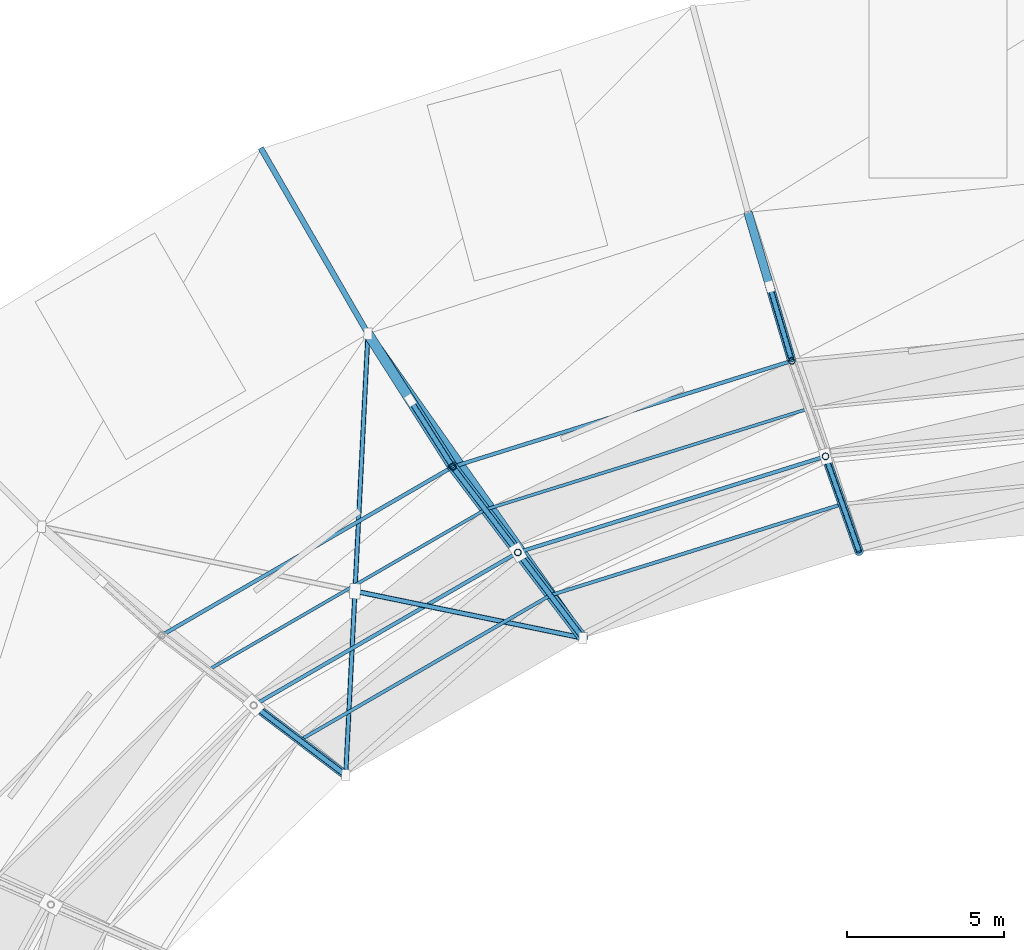
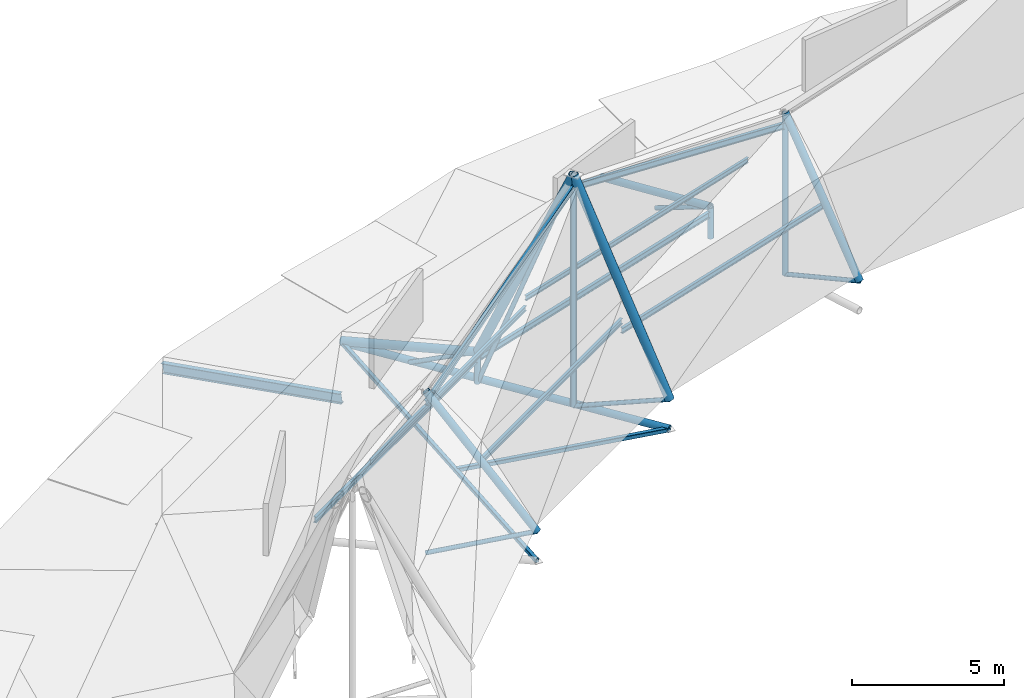
# One storey, part 12 of 36: 26 members, 2 beams.
"""IFC4 building model written with IfcOpenShell, lengths in metres."""

from ifc_helpers import new_model, si_unit, direction, frame, origin, origin_2d, place, context, subcontext, project, spatial, hollow_rectangle, hollow_circle, i_section, extrude, material, material_profile, profile_set, type_object, element, save


model = new_model("IFC4")

# Units and contexts
model_context = context("Model", 3, precision=1e-05, world=origin(), true_north=direction((0.0, 1.0)))
body_context = subcontext(model_context, "Body", "Model", "MODEL_VIEW")
ifc_project = project(units=[si_unit("LENGTHUNIT", "METRE"), si_unit("AREAUNIT", "SQUARE_METRE"), si_unit("VOLUMEUNIT", "CUBIC_METRE"), si_unit("PLANEANGLEUNIT", "RADIAN"), si_unit("MASSUNIT", "GRAM", prefix="KILO")], contexts=[model_context])

# Site, building, storey
site_placement = place(None, origin())
site = spatial("IfcSite", under=ifc_project, at=site_placement, CompositionType="ELEMENT")
building_placement = place(site_placement, origin())
building = spatial("IfcBuilding", under=site, at=building_placement, Name="Kildeholm Park Wholesale Market", CompositionType="ELEMENT")
storey_placement = place(building_placement, frame((0.0, 0.0, 17.39990234375)))
storey = spatial("IfcBuildingStorey", under=building, at=storey_placement, Name="Roof", CompositionType="ELEMENT", Elevation=17.39990234375)

# Beams
ifc_material = material(Name="Steel S355", Category="steel")
ifc_material_profile_1 = material_profile(ifc_material, i_section(OverallWidth=0.179931640625, OverallDepth=0.39990234375, WebThickness=0.008544921875, FlangeThickness=0.013427734375, FilletRadius=0.02099609375, at=origin_2d()), Name="IPE 400")
ifc_profile_set_1 = profile_set([ifc_material_profile_1], Name="Steel S355")
beam_type_1 = type_object("IfcBeamType", Name="Beam B-P01 IPE 400", PredefinedType="BEAM", material=ifc_profile_set_1)
beam_1_placement = place(storey_placement, frame((70.5, 128.904052734375, -8.0244140625), z_axis=(0.492978620712, -0.853915717996, 0.166733398216), x_axis=(0.866038511948, 0.499977295307, 0.0)))
element("IfcBeam", 1, at=beam_1_placement, inside=storey, type_object=beam_type_1, Name="Beam BM-V1-RF-S1-08 BM-0267", PredefinedType="BEAM", context=body_context, shape_type="SweptSolid", body=[
    extrude(i_section(OverallWidth=0.179931640625, OverallDepth=0.39990234375, WebThickness=0.008544921875, FlangeThickness=0.013427734375, FilletRadius=0.02099609375, at=origin_2d()), origin(), (0.0, 0.0, 1.0), 6.896728515625),
])
ifc_material_profile_2 = material_profile(ifc_material, hollow_circle(Radius=0.136474609375, WallThickness=0.01611328125, at=origin_2d()), Name="CHS 273x16")
ifc_profile_set_2 = profile_set([ifc_material_profile_2], Name="Steel S355")
beam_type_2 = type_object("IfcBeamType", Name="Beam B-T01 CHS 273x16", PredefinedType="BEAM", material=ifc_profile_set_2)
beam_2_placement = place(storey_placement, frame((73.89990234375, 123.014892578125, -4.6298828125), z_axis=(0.576894674263, -0.816818544603, 0.0), x_axis=(0.816818544603, 0.576894674263, 0.0)))
element("IfcBeam", 2, at=beam_2_placement, inside=storey, type_object=beam_type_2, Name="Beam BM-V1-TIE-08 BM-0272", PredefinedType="BEAM", context=body_context, shape_type="SweptSolid", body=[
    extrude(hollow_circle(Radius=0.136474609375, WallThickness=0.01611328125, at=origin_2d()), origin(), (0.0, 0.0, 1.0), 11.8740234375),
])

# Members
ifc_material_profile_3 = material_profile(ifc_material, i_section(OverallWidth=0.10009765625, OverallDepth=0.199951171875, WebThickness=0.005615234375, FlangeThickness=0.008544921875, FilletRadius=0.011962890625, at=origin_2d()), Name="IPE 200")
ifc_profile_set_3 = profile_set([ifc_material_profile_3], Name="Steel S355")
member_type_1 = type_object("IfcMemberType", Name="Member PR-01 IPE 200", PredefinedType="PURLIN", material=ifc_profile_set_3)
member_1_placement = place(storey_placement, frame((87.94189453125, 120.626953125, -0.7646484375), z_axis=(-0.954510153273, -0.298178415213, 0.0), x_axis=(0.298178415213, -0.954510153273, 0.0)))
element("IfcMember", 3, at=member_1_placement, inside=storey, type_object=member_type_1, Name="Member PR-V1-MDO-07 MEM-0101", PredefinedType="PURLIN", context=body_context, shape_type="SweptSolid", body=[
    extrude(i_section(OverallWidth=0.10009765625, OverallDepth=0.199951171875, WebThickness=0.005615234375, FlangeThickness=0.008544921875, FilletRadius=0.011962890625, at=origin_2d()), origin(), (0.0, 0.0, 1.0), 10.79541015625),
])
member_2_placement = place(storey_placement, frame((77.637451171875, 117.407958984375, -1.15478515625), z_axis=(-0.865443179504, -0.501007088822, 0.0), x_axis=(0.501007088822, -0.865443179504, 0.0)))
element("IfcMember", 4, at=member_2_placement, inside=storey, type_object=member_type_1, Name="Member PR-V1-MDO-08 MEM-0113", PredefinedType="PURLIN", context=body_context, shape_type="SweptSolid", body=[
    extrude(i_section(OverallWidth=0.10009765625, OverallDepth=0.199951171875, WebThickness=0.005615234375, FlangeThickness=0.008544921875, FilletRadius=0.011962890625, at=origin_2d()), origin(), (0.0, 0.0, 1.0), 10.2236328125),
])
ifc_material_profile_4 = material_profile(ifc_material, i_section(OverallWidth=0.1201171875, OverallDepth=0.239990234375, WebThickness=0.006103515625, FlangeThickness=0.009765625, FilletRadius=0.014892578125, at=origin_2d()), Name="IPE 240")
ifc_profile_set_4 = profile_set([ifc_material_profile_4], Name="Steel S355")
member_type_2 = type_object("IfcMemberType", Name="Member PR-02 IPE 240", PredefinedType="PURLIN", material=ifc_profile_set_4)
member_3_placement = place(storey_placement, frame((87.405029296875, 122.14794921875, -3.65087890625), z_axis=(-0.95449417592, -0.298229556107, 0.0), x_axis=(0.298229556107, -0.95449417592, 0.0)))
element("IfcMember", 5, at=member_3_placement, inside=storey, type_object=member_type_2, Name="Member PR-V1-STP2-07 MEM-0099", PredefinedType="PURLIN", context=body_context, shape_type="SweptSolid", body=[
    extrude(i_section(OverallWidth=0.1201171875, OverallDepth=0.239990234375, WebThickness=0.006103515625, FlangeThickness=0.009765625, FilletRadius=0.014892578125, at=origin_2d()), origin(), (0.0, 0.0, 1.0), 11.320068359375),
])
member_4_placement = place(storey_placement, frame((88.47900390625, 119.10595703125, 1.35400390625), z_axis=(-0.920919634022, -0.287625421468, 0.2630183351), x_axis=(0.298122049898, -0.954527759347, 0.0)))
element("IfcMember", 6, at=member_4_placement, inside=storey, type_object=member_type_2, Name="Member PR-V1-CRWN-07 MEM-0100", PredefinedType="PURLIN", context=body_context, shape_type="SweptSolid", body=[
    extrude(i_section(OverallWidth=0.1201171875, OverallDepth=0.239990234375, WebThickness=0.006103515625, FlangeThickness=0.009765625, FilletRadius=0.014892578125, at=origin_2d()), origin(), (0.0, 0.0, 1.0), 10.645751953125),
])
member_5_placement = place(storey_placement, frame((76.60009765625, 118.77197265625, -3.631591796875), z_axis=(-0.865403937833, -0.501074869039, 0.0), x_axis=(0.501074869039, -0.865403937833, 0.0)))
element("IfcMember", 7, at=member_5_placement, inside=storey, type_object=member_type_2, Name="Member PR-V1-STP2-08 MEM-0111", PredefinedType="PURLIN", context=body_context, shape_type="SweptSolid", body=[
    extrude(i_section(OverallWidth=0.1201171875, OverallDepth=0.239990234375, WebThickness=0.006103515625, FlangeThickness=0.009765625, FilletRadius=0.014892578125, at=origin_2d()), origin(), (0.0, 0.0, 1.0), 10.72119140625),
])
member_6_placement = place(storey_placement, frame((78.675048828125, 116.0439453125, 4.179443359375), z_axis=(-0.831722673971, -0.481352260994, -0.276653925399), x_axis=(0.500902684414, -0.865503611054, 0.0)))
element("IfcMember", 8, at=member_6_placement, inside=storey, type_object=member_type_2, Name="Member PR-V1-CRWN-08 MEM-0112", PredefinedType="PURLIN", context=body_context, shape_type="SweptSolid", body=[
    extrude(i_section(OverallWidth=0.1201171875, OverallDepth=0.239990234375, WebThickness=0.006103515625, FlangeThickness=0.009765625, FilletRadius=0.014892578125, at=origin_2d()), origin(), (0.0, 0.0, 1.0), 10.12109375),
])
ifc_material_profile_5 = material_profile(ifc_material, i_section(OverallWidth=0.110107421875, OverallDepth=0.219970703125, WebThickness=0.005859375, FlangeThickness=0.00927734375, FilletRadius=0.011962890625, at=origin_2d()), Name="IPE 220")
ifc_profile_set_5 = profile_set([ifc_material_profile_5], Name="Steel S355")
member_type_3 = type_object("IfcMemberType", Name="Member PR-03 IPE 220", PredefinedType="PURLIN", material=ifc_profile_set_5)
member_7_placement = place(storey_placement, frame((89.01611328125, 117.58447265625, -1.143798828125), z_axis=(-0.954563733867, -0.29800684218, 0.0), x_axis=(0.29800684218, -0.954563733867, 0.0)))
element("IfcMember", 9, at=member_7_placement, inside=storey, type_object=member_type_3, Name="Member PR-V1-MDI-07 MEM-0102", PredefinedType="PURLIN", context=body_context, shape_type="SweptSolid", body=[
    extrude(i_section(OverallWidth=0.110107421875, OverallDepth=0.219970703125, WebThickness=0.005859375, FlangeThickness=0.00927734375, FilletRadius=0.011962890625, at=origin_2d()), origin(), (0.0, 0.0, 1.0), 9.74658203125),
])
member_8_placement = place(storey_placement, frame((79.71240234375, 114.679931640625, -0.740234375), z_axis=(-0.865588643817, -0.50075572857, 0.0), x_axis=(0.50075572857, -0.865588643817, 0.0)))
element("IfcMember", 10, at=member_8_placement, inside=storey, type_object=member_type_3, Name="Member PR-V1-MDI-08 MEM-0114", PredefinedType="PURLIN", context=body_context, shape_type="SweptSolid", body=[
    extrude(i_section(OverallWidth=0.110107421875, OverallDepth=0.219970703125, WebThickness=0.005859375, FlangeThickness=0.00927734375, FilletRadius=0.011962890625, at=origin_2d()), origin(), (0.0, 0.0, 1.0), 9.228759765625),
])
ifc_material_profile_6 = material_profile(ifc_material, hollow_circle(Radius=0.084228515625, WallThickness=0.010009765625, at=origin_2d()), Name="CHS 168.3x10")
ifc_profile_set_6 = profile_set([ifc_material_profile_6], Name="Steel S355")
member_type_4 = type_object("IfcMemberType", Name="Member TB-01 CHS 168.3x10", PredefinedType="BRACE", material=ifc_profile_set_6)
member_9_placement = place(storey_placement, frame((86.7060546875, 124.513916015625, -4.6298828125), z_axis=(0.253146344437, -0.856877828828, 0.449084974989), x_axis=(0.959024430509, 0.283323387117, 0.0)))
element("IfcMember", 11, at=member_9_placement, inside=storey, type_object=member_type_4, Name="Member TR-V1-07-WB1 MEM-0096", PredefinedType="BRACE", context=body_context, shape_type="SweptSolid", body=[
    extrude(hollow_circle(Radius=0.084228515625, WallThickness=0.010009765625, at=origin_2d()), origin(), (0.0, 0.0, 1.0), 2.76123046875),
])
member_10_placement = place(storey_placement, frame((88.47900390625, 119.10595703125, -4.6298828125), z_axis=(0.312262080305, -0.884754391663, 0.345979854378), x_axis=(0.942991730323, 0.332816160277, 0.0)))
element("IfcMember", 12, at=member_10_placement, inside=storey, type_object=member_type_4, Name="Member TR-V1-07-WB3 MEM-0098", PredefinedType="BRACE", context=body_context, shape_type="SweptSolid", body=[
    extrude(hollow_circle(Radius=0.084228515625, WallThickness=0.010009765625, at=origin_2d()), origin(), (0.0, 0.0, 1.0), 3.439453125),
])
member_11_placement = place(storey_placement, frame((75.25, 120.89404296875, -4.6298828125), z_axis=(0.481456033698, -0.756747892387, 0.442190812866), x_axis=(0.843717440155, 0.53678755684, 0.0)))
element("IfcMember", 13, at=member_11_placement, inside=storey, type_object=member_type_4, Name="Member TR-V1-08-WB1 MEM-0108", PredefinedType="BRACE", context=body_context, shape_type="SweptSolid", body=[
    extrude(hollow_circle(Radius=0.084228515625, WallThickness=0.010009765625, at=origin_2d()), origin(), (0.0, 0.0, 1.0), 2.80419921875),
])
member_12_placement = place(storey_placement, frame((76.60009765625, 118.77197265625, -4.6298828125), z_axis=(0.209545726635, -0.275498758609, 0.93818496175), x_axis=(0.795930166757, 0.605388445254, 0.0)))
element("IfcMember", 14, at=member_12_placement, inside=storey, type_object=member_type_4, Name="Member TR-V1-08-WB2 MEM-0109", PredefinedType="BRACE", context=body_context, shape_type="SweptSolid", body=[
    extrude(hollow_circle(Radius=0.084228515625, WallThickness=0.010009765625, at=origin_2d()), origin(), (0.0, 0.0, 1.0), 9.902099609375),
])
member_13_placement = place(storey_placement, frame((78.675048828125, 116.0439453125, -4.6298828125), z_axis=(0.571902410077, -0.751904639393, 0.327974155396), x_axis=(0.795930166757, 0.605388445254, 0.0)))
element("IfcMember", 15, at=member_13_placement, inside=storey, type_object=member_type_4, Name="Member TR-V1-08-WB3 MEM-0110", PredefinedType="BRACE", context=body_context, shape_type="SweptSolid", body=[
    extrude(hollow_circle(Radius=0.084228515625, WallThickness=0.010009765625, at=origin_2d()), origin(), (0.0, 0.0, 1.0), 3.628173828125),
])
member_14_placement = place(storey_placement, frame((70.257080078125, 111.172119140625, -4.6298828125), z_axis=(0.757940261159, -0.575345848572, 0.30741456544), x_axis=(0.604624369273, 0.796510748252, 0.0)))
element("IfcMember", 16, at=member_14_placement, inside=storey, type_object=member_type_4, Name="Member TR-V1-09-WB3 MEM-0125", PredefinedType="BRACE", context=body_context, shape_type="SweptSolid", body=[
    extrude(hollow_circle(Radius=0.084228515625, WallThickness=0.010009765625, at=origin_2d()), origin(), (0.0, 0.0, 1.0), 3.870849609375),
])
ifc_material_profile_7 = material_profile(ifc_material, hollow_circle(Radius=0.109619140625, WallThickness=0.012451171875, at=origin_2d()), Name="CHS 219.1x12.5")
ifc_profile_set_7 = profile_set([ifc_material_profile_7], Name="Steel S355")
member_type_5 = type_object("IfcMemberType", Name="Member TB-02 CHS 219.1x12.5", PredefinedType="BRACE", material=ifc_profile_set_7)
member_15_placement = place(storey_placement, frame((87.405029296875, 122.14794921875, -4.6298828125), z_axis=(0.0, 0.0, 1.0), x_axis=(1.0, 0.0, 0.0)))
element("IfcMember", 17, at=member_15_placement, inside=storey, type_object=member_type_5, Name="Member TR-V1-07-VT1 MEM-0094", PredefinedType="BRACE", context=body_context, shape_type="SweptSolid", body=[
    extrude(hollow_circle(Radius=0.109619140625, WallThickness=0.012451171875, at=origin_2d()), origin(), (0.0, 0.0, 1.0), 1.239990234375),
])
member_16_placement = place(storey_placement, frame((88.47900390625, 119.10595703125, -4.6298828125), z_axis=(0.0, 0.0, 1.0), x_axis=(1.0, 0.0, 0.0)))
element("IfcMember", 18, at=member_16_placement, inside=storey, type_object=member_type_5, Name="Member TR-V1-07-VT2 MEM-0095", PredefinedType="BRACE", context=body_context, shape_type="SweptSolid", body=[
    extrude(hollow_circle(Radius=0.109619140625, WallThickness=0.012451171875, at=origin_2d()), origin(), (0.0, 0.0, 1.0), 6.489990234375),
])
member_17_placement = place(storey_placement, frame((76.60009765625, 118.77197265625, -4.6298828125), z_axis=(0.0, 0.0, 1.0), x_axis=(1.0, 0.0, 0.0)))
element("IfcMember", 19, at=member_17_placement, inside=storey, type_object=member_type_5, Name="Member TR-V1-08-VT1 MEM-0106", PredefinedType="BRACE", context=body_context, shape_type="SweptSolid", body=[
    extrude(hollow_circle(Radius=0.109619140625, WallThickness=0.012451171875, at=origin_2d()), origin(), (0.0, 0.0, 1.0), 1.239990234375),
])
member_18_placement = place(storey_placement, frame((78.675048828125, 116.0439453125, -4.6298828125), z_axis=(0.0, 0.0, 1.0), x_axis=(1.0, 0.0, 0.0)))
element("IfcMember", 20, at=member_18_placement, inside=storey, type_object=member_type_5, Name="Member TR-V1-08-VT2 MEM-0107", PredefinedType="BRACE", context=body_context, shape_type="SweptSolid", body=[
    extrude(hollow_circle(Radius=0.109619140625, WallThickness=0.012451171875, at=origin_2d()), origin(), (0.0, 0.0, 1.0), 9.2900390625),
])
ifc_material_profile_8 = material_profile(ifc_material, hollow_rectangle(XDim=0.14990234375, YDim=0.14990234375, WallThickness=0.010009765625, InnerFilletRadius=0.010009765625, OuterFilletRadius=0.02001953125, at=origin_2d()), Name="SHS 150x150x10")
ifc_profile_set_8 = profile_set([ifc_material_profile_8], Name="Steel S355")
member_type_6 = type_object("IfcMemberType", Name="Member TB-03 SHS 150x150x10", PredefinedType="BRACE", material=ifc_profile_set_8)
member_19_placement = place(storey_placement, frame((73.89990234375, 123.014892578125, -4.6298828125), z_axis=(-0.05032656769, -0.998732815414, 0.0), x_axis=(0.998732815414, -0.05032656769, 0.0)))
element("IfcMember", 21, at=member_19_placement, inside=storey, type_object=member_type_6, Name="Member BR-V1-RF-08-1 MEM-0115", PredefinedType="BRACE", context=body_context, shape_type="SweptSolid", body=[
    extrude(hollow_rectangle(XDim=0.14990234375, YDim=0.14990234375, WallThickness=0.010009765625, InnerFilletRadius=0.010009765625, OuterFilletRadius=0.02001953125, at=origin_2d()), origin(), (0.0, 0.0, 1.0), 14.087646484375),
])
ifc_material_profile_9 = material_profile(ifc_material, hollow_rectangle(XDim=0.159912109375, YDim=0.159912109375, WallThickness=0.010009765625, InnerFilletRadius=0.010009765625, OuterFilletRadius=0.02001953125, at=origin_2d()), Name="SHS 160x160x10")
ifc_profile_set_9 = profile_set([ifc_material_profile_9], Name="Steel S355")
member_type_7 = type_object("IfcMemberType", Name="Member TB-04 SHS 160x160x10", PredefinedType="BRACE", material=ifc_profile_set_9)
member_20_placement = place(storey_placement, frame((73.52587890625, 114.802490234375, -4.6298828125), z_axis=(0.979477036765, -0.201555784957, 0.0), x_axis=(0.201555784957, 0.979477036765, 0.0)))
element("IfcMember", 22, at=member_20_placement, inside=storey, type_object=member_type_7, Name="Member BR-V1-RF-08-2B MEM-0117", PredefinedType="BRACE", context=body_context, shape_type="SweptSolid", body=[
    extrude(hollow_rectangle(XDim=0.159912109375, YDim=0.159912109375, WallThickness=0.010009765625, InnerFilletRadius=0.010009765625, OuterFilletRadius=0.02001953125, at=origin_2d()), origin(), (0.0, 0.0, 1.0), 7.37548828125),
])
ifc_material_profile_10 = material_profile(ifc_material, hollow_circle(Radius=0.161865234375, WallThickness=0.01611328125, at=origin_2d()), Name="CHS 323.9x16")
ifc_profile_set_10 = profile_set([ifc_material_profile_10], Name="Steel S355")
member_type_8 = type_object("IfcMemberType", Name="Member TC-01 CHS 323.9x16", PredefinedType="CHORD", material=ifc_profile_set_10)
member_21_placement = place(storey_placement, frame((73.89990234375, 123.014892578125, -4.579833984375), z_axis=(0.522472259901, -0.820980597181, 0.230246816886), x_axis=(0.84364749533, 0.536897479622, 0.0)))
element("IfcMember", 23, at=member_21_placement, inside=storey, type_object=member_type_8, Name="Member TR-V1-08-TC1 MEM-0103", PredefinedType="CHORD", context=body_context, shape_type="SweptSolid", body=[
    extrude(hollow_circle(Radius=0.161865234375, WallThickness=0.01611328125, at=origin_2d()), origin(), (0.0, 0.0, 1.0), 5.168212890625),
])
member_22_placement = place(storey_placement, frame((76.60009765625, 118.77197265625, -3.389892578125), z_axis=(0.23715533351, -0.311798293521, 0.920075633818), x_axis=(0.795930166757, 0.605388445254, 0.0)))
element("IfcMember", 24, at=member_22_placement, inside=storey, type_object=member_type_8, Name="Member TR-V1-08-TC2 MEM-0104", PredefinedType="CHORD", context=body_context, shape_type="SweptSolid", body=[
    extrude(hollow_circle(Radius=0.161865234375, WallThickness=0.01611328125, at=origin_2d()), origin(), (0.0, 0.0, 1.0), 8.749267578125),
])
member_23_placement = place(storey_placement, frame((78.675048828125, 116.0439453125, 4.66015625), z_axis=(0.235913107624, -0.310165085844, -0.920946591923), x_axis=(0.795930166757, 0.605388445254, 0.0)))
element("IfcMember", 25, at=member_23_placement, inside=storey, type_object=member_type_8, Name="Member TR-V1-08-TC3 MEM-0105", PredefinedType="CHORD", context=body_context, shape_type="SweptSolid", body=[
    extrude(hollow_circle(Radius=0.161865234375, WallThickness=0.01611328125, at=origin_2d()), origin(), (0.0, 0.0, 1.0), 8.79541015625),
])
ifc_material_profile_11 = material_profile(ifc_material, hollow_circle(Radius=0.136474609375, WallThickness=0.01611328125, at=origin_2d()), Name="CHS 273x16")
ifc_profile_set_11 = profile_set([ifc_material_profile_11], Name="Steel S355")
member_type_9 = type_object("IfcMemberType", Name="Member TC-02 CHS 273x16", PredefinedType="CHORD", material=ifc_profile_set_11)
member_24_placement = place(storey_placement, frame((86.007080078125, 126.881103515625, -4.579833984375), z_axis=(0.275365256471, -0.932327318758, 0.23439229131), x_axis=(0.959044282835, 0.283256180095, 0.0)))
element("IfcMember", 26, at=member_24_placement, inside=storey, type_object=member_type_9, Name="Member TR-V1-07-TC1 MEM-0091", PredefinedType="CHORD", context=body_context, shape_type="SweptSolid", body=[
    extrude(hollow_circle(Radius=0.136474609375, WallThickness=0.01611328125, at=origin_2d()), origin(), (0.0, 0.0, 1.0), 5.07666015625),
])
member_25_placement = place(storey_placement, frame((88.47900390625, 119.10595703125, 1.860107421875), z_axis=(0.173078593626, -0.490395906104, -0.854140302119), x_axis=(0.942991730323, 0.332816160277, 0.0)))
element("IfcMember", 27, at=member_25_placement, inside=storey, type_object=member_type_9, Name="Member TR-V1-07-TC3 MEM-0093", PredefinedType="CHORD", context=body_context, shape_type="SweptSolid", body=[
    extrude(hollow_circle(Radius=0.136474609375, WallThickness=0.01611328125, at=origin_2d()), origin(), (0.0, 0.0, 1.0), 6.205078125),
])
member_26_placement = place(storey_placement, frame((70.257080078125, 111.172119140625, 1.860107421875), z_axis=(0.454557247199, -0.345050445948, -0.821168617746), x_axis=(0.604624369273, 0.796510748252, 0.0)))
element("IfcMember", 28, at=member_26_placement, inside=storey, type_object=member_type_9, Name="Member TR-V1-09-TC3 MEM-0120", PredefinedType="CHORD", context=body_context, shape_type="SweptSolid", body=[
    extrude(hollow_circle(Radius=0.136474609375, WallThickness=0.01611328125, at=origin_2d()), origin(), (0.0, 0.0, 1.0), 6.454345703125),
])

save(model, "model.ifc")
